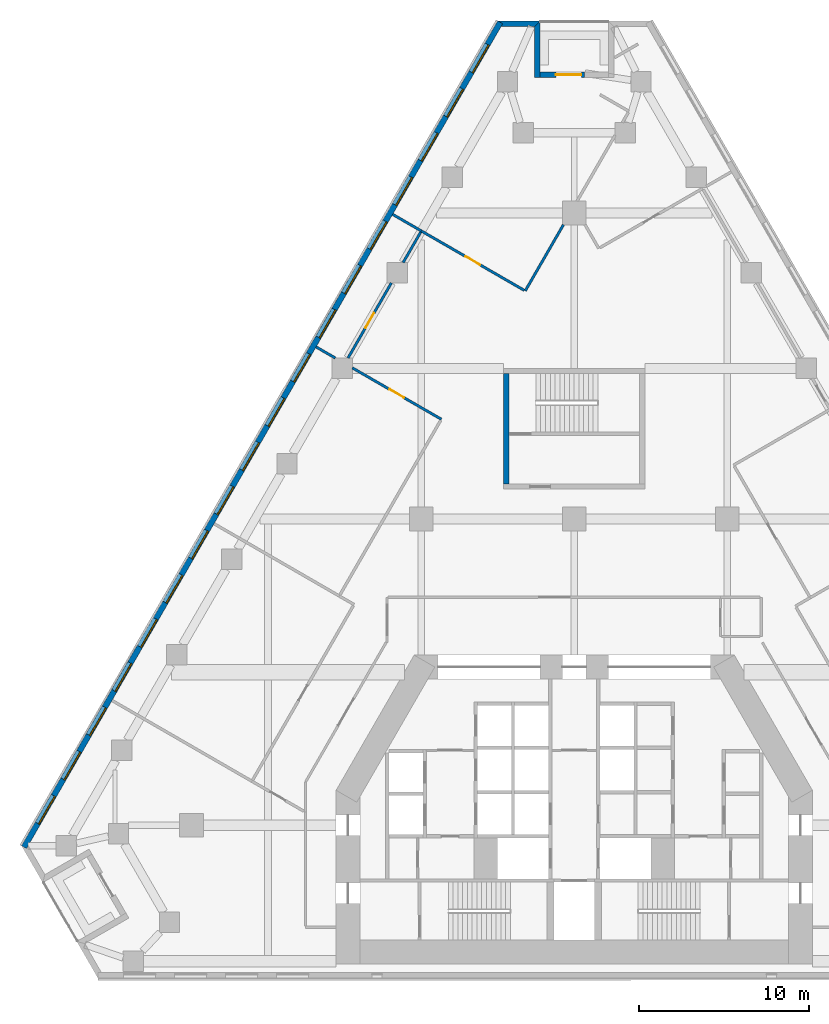
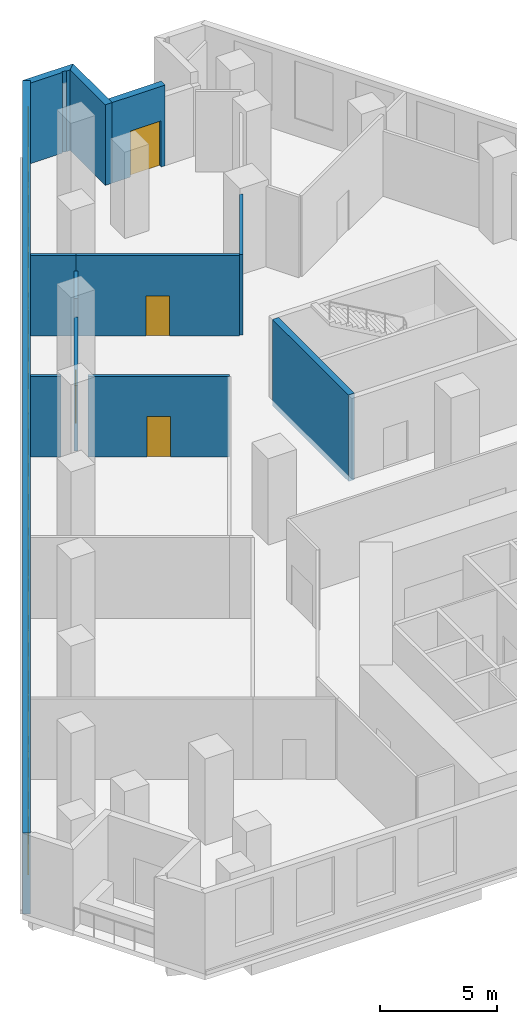
# One storey, part 9 of 14: 18 windows, 12 walls, 4 doors, 22 openings.
"""IFC4 building model written with IfcOpenShell, lengths in metres."""

from ifc_helpers import new_model, si_unit, direction, frame, frame_2d, origin, place, context, subcontext, project, spatial, polyline, rectangle, outline, extrude, material, layer, layer_set, type_object, element, fill, save


model = new_model("IFC4")

# Units and contexts
model_context = context("Model", 3, precision=1e-05, world=origin(), true_north=direction((0.0, 1.0)))
body_context = subcontext(model_context, "Body", "Model", "MODEL_VIEW")
ifc_project = project(units=[si_unit("LENGTHUNIT", "METRE"), si_unit("AREAUNIT", "SQUARE_METRE"), si_unit("VOLUMEUNIT", "CUBIC_METRE"), si_unit("PLANEANGLEUNIT", "RADIAN"), si_unit("MASSUNIT", "GRAM", prefix="KILO")], contexts=[model_context])

# Site, building, storey
site_placement = place(None, origin())
site = spatial("IfcSite", under=ifc_project, at=site_placement, CompositionType="ELEMENT")
building_placement = place(site_placement, origin())
building = spatial("IfcBuilding", under=site, at=building_placement, Name="Fogline Exchange Tower", CompositionType="ELEMENT")
storey_placement = place(building_placement, frame((0.0, 0.0, 29.5)))
storey = spatial("IfcBuildingStorey", under=building, at=storey_placement, Name="L05", CompositionType="ELEMENT", Elevation=29.5)

# Wall
ifc_material_1 = material(Name="Concrete C40", Category="concrete")
ifc_layer_1 = layer(ifc_material_1, 0.300048828125)
ifc_layer_set_1 = layer_set([ifc_layer_1], Name="CW30")
wall_type_1 = type_object("IfcWallType", Name="CW30", PredefinedType="SOLIDWALL", material=ifc_layer_set_1)
wall_1_placement = place(storey_placement, frame((-4.0, 29.056884765625, -0.300048828125), z_axis=(0.0, 0.0, 1.0), x_axis=(0.0, 1.0, 0.0)))
element("IfcWall", 1, at=wall_1_placement, inside=storey, type_object=wall_type_1, Name="Stair enclosure wall ST3", PredefinedType="SOLIDWALL", context=body_context, shape_type="SweptSolid", body=[
    extrude(rectangle(XDim=6.5, YDim=0.300048828125, at=frame_2d((3.25, 0.0))), origin(), (0.0, 0.0, 1.0), 4.5),
])

# Wall, opening, door
ifc_material_2 = material(Name="Brick masonry", Category="masonry")
ifc_layer_2 = layer(ifc_material_2, 0.340087890625)
ifc_layer_set_2 = layer_set([ifc_layer_2], Name="FW1")
wall_type_2 = type_object("IfcWallType", Name="FW1", PredefinedType="SOLIDWALL", material=ifc_layer_set_2)
wall_2_placement = place(storey_placement, frame((0.61328125, 53.12158203125, 0.0), z_axis=(0.0, 0.0, 1.0), x_axis=(-1.0, 0.0, 0.0)))
wall_2 = element("IfcWall", 2, at=wall_2_placement, inside=storey, type_object=wall_type_2, Name="Brick wall L05 N-bk", PredefinedType="SOLIDWALL", context=body_context, shape_type="SweptSolid", body=[
    extrude(rectangle(XDim=2.61328125, YDim=0.340087890625, at=frame_2d((1.306640625, 0.0))), origin(), (0.0, 0.0, 1.0), 4.199951171875),
])
opening_1_placement = place(wall_2_placement, frame((0.199951171875, 0.0, 0.0)))
opening_1 = element("IfcOpeningElement", 3, at=opening_1_placement, cuts=wall_2, Name="Opening T01-E141", PredefinedType="OPENING", context=body_context, shape_type="SweptSolid", body=[
    extrude(rectangle(XDim=1.5, YDim=2.39990234375, at=frame_2d((0.75, 1.199951171875))), frame((0.0, 0.18017578125, 0.0), z_axis=(0.0, -1.0, 0.0), x_axis=(1.0, 0.0, 0.0)), (0.0, 0.0, 1.0), 0.360107421875),
])
ifc_material_3 = material(Name="Aluminium and glass", Category="aluminium")
door_type_1 = type_object("IfcDoorType", Name="ED4", OperationType="SINGLE_SWING_LEFT", PredefinedType="DOOR", material=ifc_material_3)
door_1_placement = place(opening_1_placement, frame((1.5, 0.0, 0.0), z_axis=(0.0, 0.0, 1.0), x_axis=(-1.0, 0.0, 0.0)))
door_1 = element("IfcDoor", 4, at=door_1_placement, inside=storey, type_object=door_type_1, Name="Balcony door L05 N", OperationType="DOUBLE_DOOR_SINGLE_SWING", OverallHeight=2.39990234375, OverallWidth=1.5, PredefinedType="DOOR", context=body_context, shape_type="SweptSolid", body=[
    extrude(rectangle(XDim=1.5, YDim=2.39990234375, at=frame_2d((0.75, 1.199951171875))), frame((0.0, 0.02490234375, 0.0), z_axis=(0.0, -1.0, 0.0), x_axis=(1.0, 0.0, 0.0)), (0.0, 0.0, 1.0), 0.050048828125),
])
fill(opening_1, door_1)

# Walls
wall_3_placement = place(storey_placement, origin())
element("IfcWall", 5, at=wall_3_placement, inside=storey, type_object=wall_type_2, Name="Brick wall L05 N-s2", PredefinedType="SOLIDWALL", context=body_context, shape_type="SweptSolid", body=[
    extrude(outline(polyline([(-1.99951171875, 56.292724609375), (-1.99951171875, 52.951171875), (-2.340576171875, 52.951171875), (-2.340576171875, 55.951904296875), (-1.999755859375, 56.292724609375), (-1.99951171875, 56.292724609375)])), origin(), (0.0, 0.0, 1.0), 4.199951171875),
])
wall_4_placement = place(storey_placement, origin())
element("IfcWall", 6, at=wall_4_placement, inside=storey, type_object=wall_type_2, Name="Brick wall L05 N-c2", PredefinedType="SOLIDWALL", context=body_context, shape_type="SweptSolid", body=[
    extrude(outline(polyline([(-4.206298828125, 56.121337890625), (-4.501220703125, 56.291748046875), (-4.5009765625, 56.292236328125), (-1.9990234375, 56.292236328125), (-1.998779296875, 56.2919921875), (-2.33984375, 55.951171875), (-2.510009765625, 55.951171875), (-2.695068359375, 56.031494140625), (-2.72998046875, 55.951171875), (-4.3046875, 55.951171875), (-4.206298828125, 56.121337890625)])), origin(), (0.0, 0.0, 1.0), 4.199951171875),
])

# Wall, openings, windows
wall_5_placement = place(storey_placement, frame((-4.352783203125, 56.20654296875, 0.0), z_axis=(0.0, 0.0, 1.0), x_axis=(-0.500000836325, -0.866024920931, 0.0)))
wall_5 = element("IfcWall", 7, at=wall_5_placement, inside=storey, type_object=wall_type_2, Name="Brick wall L05 W", PredefinedType="SOLIDWALL", context=body_context, shape_type="SweptSolid", body=[
    extrude(rectangle(XDim=56.0, YDim=0.340087890625, at=frame_2d((28.0, 0.0))), origin(), (0.0, 0.0, 1.0), 4.199951171875),
])
opening_2_placement = place(wall_5_placement, frame((1.5, 0.0, 0.89990234375)))
opening_2 = element("IfcOpeningElement", 8, at=opening_2_placement, cuts=wall_5, Name="Opening W2", PredefinedType="OPENING", context=body_context, shape_type="SweptSolid", body=[
    extrude(rectangle(XDim=1.885009765625, YDim=3.0, at=frame_2d((0.9423828125, 1.5))), frame((0.0, 0.18017578125, 0.0), z_axis=(0.0, -1.0, 0.0), x_axis=(1.0, 0.0, 0.0)), (0.0, 0.0, 1.0), 0.360107421875),
])
opening_3_placement = place(wall_5_placement, frame((4.5, 0.0, 0.89990234375)))
opening_3 = element("IfcOpeningElement", 9, at=opening_3_placement, cuts=wall_5, Name="Opening W2", PredefinedType="OPENING", context=body_context, shape_type="SweptSolid", body=[
    extrude(rectangle(XDim=1.885009765625, YDim=3.0, at=frame_2d((0.9423828125, 1.5))), frame((0.0, 0.18017578125, 0.0), z_axis=(0.0, -1.0, 0.0), x_axis=(1.0, 0.0, 0.0)), (0.0, 0.0, 1.0), 0.360107421875),
])
opening_4_placement = place(wall_5_placement, frame((7.5, 0.0, 0.89990234375)))
opening_4 = element("IfcOpeningElement", 10, at=opening_4_placement, cuts=wall_5, Name="Opening W2", PredefinedType="OPENING", context=body_context, shape_type="SweptSolid", body=[
    extrude(rectangle(XDim=1.885009765625, YDim=3.0, at=frame_2d((0.9423828125, 1.5))), frame((0.0, 0.18017578125, 0.0), z_axis=(0.0, -1.0, 0.0), x_axis=(1.0, 0.0, 0.0)), (0.0, 0.0, 1.0), 0.360107421875),
])
opening_5_placement = place(wall_5_placement, frame((10.5, 0.0, 0.89990234375)))
opening_5 = element("IfcOpeningElement", 11, at=opening_5_placement, cuts=wall_5, Name="Opening W2", PredefinedType="OPENING", context=body_context, shape_type="SweptSolid", body=[
    extrude(rectangle(XDim=1.885009765625, YDim=3.0, at=frame_2d((0.9423828125, 1.5))), frame((0.0, 0.18017578125, 0.0), z_axis=(0.0, -1.0, 0.0), x_axis=(1.0, 0.0, 0.0)), (0.0, 0.0, 1.0), 0.360107421875),
])
opening_6_placement = place(wall_5_placement, frame((13.5, 0.0, 0.89990234375)))
opening_6 = element("IfcOpeningElement", 12, at=opening_6_placement, cuts=wall_5, Name="Opening W2", PredefinedType="OPENING", context=body_context, shape_type="SweptSolid", body=[
    extrude(rectangle(XDim=1.885009765625, YDim=3.0, at=frame_2d((0.9423828125, 1.5))), frame((0.0, 0.18017578125, 0.0), z_axis=(0.0, -1.0, 0.0), x_axis=(1.0, 0.0, 0.0)), (0.0, 0.0, 1.0), 0.360107421875),
])
opening_7_placement = place(wall_5_placement, frame((16.5, 0.0, 0.89990234375)))
opening_7 = element("IfcOpeningElement", 13, at=opening_7_placement, cuts=wall_5, Name="Opening W2", PredefinedType="OPENING", context=body_context, shape_type="SweptSolid", body=[
    extrude(rectangle(XDim=1.885009765625, YDim=3.0, at=frame_2d((0.9423828125, 1.5))), frame((0.0, 0.18017578125, 0.0), z_axis=(0.0, -1.0, 0.0), x_axis=(1.0, 0.0, 0.0)), (0.0, 0.0, 1.0), 0.360107421875),
])
opening_8_placement = place(wall_5_placement, frame((19.5, 0.0, 0.89990234375)))
opening_8 = element("IfcOpeningElement", 14, at=opening_8_placement, cuts=wall_5, Name="Opening W2", PredefinedType="OPENING", context=body_context, shape_type="SweptSolid", body=[
    extrude(rectangle(XDim=1.885009765625, YDim=3.0, at=frame_2d((0.9423828125, 1.5))), frame((0.0, 0.18017578125, 0.0), z_axis=(0.0, -1.0, 0.0), x_axis=(1.0, 0.0, 0.0)), (0.0, 0.0, 1.0), 0.360107421875),
])
opening_9_placement = place(wall_5_placement, frame((22.5, 0.0, 0.89990234375)))
opening_9 = element("IfcOpeningElement", 15, at=opening_9_placement, cuts=wall_5, Name="Opening W2", PredefinedType="OPENING", context=body_context, shape_type="SweptSolid", body=[
    extrude(rectangle(XDim=1.885009765625, YDim=3.0, at=frame_2d((0.9423828125, 1.5))), frame((0.0, 0.18017578125, 0.0), z_axis=(0.0, -1.0, 0.0), x_axis=(1.0, 0.0, 0.0)), (0.0, 0.0, 1.0), 0.360107421875),
])
opening_10_placement = place(wall_5_placement, frame((25.5, 0.0, 0.89990234375)))
opening_10 = element("IfcOpeningElement", 16, at=opening_10_placement, cuts=wall_5, Name="Opening W2", PredefinedType="OPENING", context=body_context, shape_type="SweptSolid", body=[
    extrude(rectangle(XDim=1.885009765625, YDim=3.0, at=frame_2d((0.9423828125, 1.5))), frame((0.0, 0.18017578125, 0.0), z_axis=(0.0, -1.0, 0.0), x_axis=(1.0, 0.0, 0.0)), (0.0, 0.0, 1.0), 0.360107421875),
])
opening_11_placement = place(wall_5_placement, frame((28.5, 0.0, 0.89990234375)))
opening_11 = element("IfcOpeningElement", 17, at=opening_11_placement, cuts=wall_5, Name="Opening W2", PredefinedType="OPENING", context=body_context, shape_type="SweptSolid", body=[
    extrude(rectangle(XDim=1.885009765625, YDim=3.0, at=frame_2d((0.9423828125, 1.5))), frame((0.0, 0.18017578125, 0.0), z_axis=(0.0, -1.0, 0.0), x_axis=(1.0, 0.0, 0.0)), (0.0, 0.0, 1.0), 0.360107421875),
])
opening_12_placement = place(wall_5_placement, frame((31.5, 0.0, 0.89990234375)))
opening_12 = element("IfcOpeningElement", 18, at=opening_12_placement, cuts=wall_5, Name="Opening W2", PredefinedType="OPENING", context=body_context, shape_type="SweptSolid", body=[
    extrude(rectangle(XDim=1.885009765625, YDim=3.0, at=frame_2d((0.9423828125, 1.5))), frame((0.0, 0.18017578125, 0.0), z_axis=(0.0, -1.0, 0.0), x_axis=(1.0, 0.0, 0.0)), (0.0, 0.0, 1.0), 0.360107421875),
])
opening_13_placement = place(wall_5_placement, frame((34.5, 0.0, 0.89990234375)))
opening_13 = element("IfcOpeningElement", 19, at=opening_13_placement, cuts=wall_5, Name="Opening W2", PredefinedType="OPENING", context=body_context, shape_type="SweptSolid", body=[
    extrude(rectangle(XDim=1.885009765625, YDim=3.0, at=frame_2d((0.9423828125, 1.5))), frame((0.0, 0.18017578125, 0.0), z_axis=(0.0, -1.0, 0.0), x_axis=(1.0, 0.0, 0.0)), (0.0, 0.0, 1.0), 0.360107421875),
])
opening_14_placement = place(wall_5_placement, frame((37.5, 0.0, 0.89990234375)))
opening_14 = element("IfcOpeningElement", 20, at=opening_14_placement, cuts=wall_5, Name="Opening W2", PredefinedType="OPENING", context=body_context, shape_type="SweptSolid", body=[
    extrude(rectangle(XDim=1.885009765625, YDim=3.0, at=frame_2d((0.9423828125, 1.5))), frame((0.0, 0.18017578125, 0.0), z_axis=(0.0, -1.0, 0.0), x_axis=(1.0, 0.0, 0.0)), (0.0, 0.0, 1.0), 0.360107421875),
])
opening_15_placement = place(wall_5_placement, frame((40.5, 0.0, 0.89990234375)))
opening_15 = element("IfcOpeningElement", 21, at=opening_15_placement, cuts=wall_5, Name="Opening W2", PredefinedType="OPENING", context=body_context, shape_type="SweptSolid", body=[
    extrude(rectangle(XDim=1.885009765625, YDim=3.0, at=frame_2d((0.9423828125, 1.5))), frame((0.0, 0.18017578125, 0.0), z_axis=(0.0, -1.0, 0.0), x_axis=(1.0, 0.0, 0.0)), (0.0, 0.0, 1.0), 0.360107421875),
])
opening_16_placement = place(wall_5_placement, frame((43.5, 0.0, 0.89990234375)))
opening_16 = element("IfcOpeningElement", 22, at=opening_16_placement, cuts=wall_5, Name="Opening W2", PredefinedType="OPENING", context=body_context, shape_type="SweptSolid", body=[
    extrude(rectangle(XDim=1.885009765625, YDim=3.0, at=frame_2d((0.9423828125, 1.5))), frame((0.0, 0.18017578125, 0.0), z_axis=(0.0, -1.0, 0.0), x_axis=(1.0, 0.0, 0.0)), (0.0, 0.0, 1.0), 0.360107421875),
])
opening_17_placement = place(wall_5_placement, frame((46.5, 0.0, 0.89990234375)))
opening_17 = element("IfcOpeningElement", 23, at=opening_17_placement, cuts=wall_5, Name="Opening W2", PredefinedType="OPENING", context=body_context, shape_type="SweptSolid", body=[
    extrude(rectangle(XDim=1.885009765625, YDim=3.0, at=frame_2d((0.9423828125, 1.5))), frame((0.0, 0.18017578125, 0.0), z_axis=(0.0, -1.0, 0.0), x_axis=(1.0, 0.0, 0.0)), (0.0, 0.0, 1.0), 0.360107421875),
])
opening_18_placement = place(wall_5_placement, frame((49.5, 0.0, 0.89990234375)))
opening_18 = element("IfcOpeningElement", 24, at=opening_18_placement, cuts=wall_5, Name="Opening W2", PredefinedType="OPENING", context=body_context, shape_type="SweptSolid", body=[
    extrude(rectangle(XDim=1.885009765625, YDim=3.0, at=frame_2d((0.9423828125, 1.5))), frame((0.0, 0.18017578125, 0.0), z_axis=(0.0, -1.0, 0.0), x_axis=(1.0, 0.0, 0.0)), (0.0, 0.0, 1.0), 0.360107421875),
])
opening_19_placement = place(wall_5_placement, frame((52.5, 0.0, 0.89990234375)))
opening_19 = element("IfcOpeningElement", 25, at=opening_19_placement, cuts=wall_5, Name="Opening W2", PredefinedType="OPENING", context=body_context, shape_type="SweptSolid", body=[
    extrude(rectangle(XDim=1.885009765625, YDim=3.0, at=frame_2d((0.9423828125, 1.5))), frame((0.0, 0.18017578125, 0.0), z_axis=(0.0, -1.0, 0.0), x_axis=(1.0, 0.0, 0.0)), (0.0, 0.0, 1.0), 0.360107421875),
])
window_type = type_object("IfcWindowType", Name="W2", PartitioningType="SINGLE_PANEL", PredefinedType="WINDOW", material=ifc_material_3)
window_1_placement = place(opening_2_placement, origin())
window_1 = element("IfcWindow", 26, at=window_1_placement, inside=storey, type_object=window_type, Name="W2 W2", OverallHeight=3.0, OverallWidth=1.885009765625, PartitioningType="SINGLE_PANEL", PredefinedType="WINDOW", context=body_context, shape_type="SweptSolid", body=[
    extrude(rectangle(XDim=1.885009765625, YDim=3.0, at=frame_2d((0.9423828125, 1.5))), frame((0.0, 0.110107421875, 0.0), z_axis=(0.0, -1.0, 0.0), x_axis=(1.0, 0.0, 0.0)), (0.0, 0.0, 1.0), 0.06005859375),
])
fill(opening_2, window_1)
window_2_placement = place(opening_3_placement, origin())
window_2 = element("IfcWindow", 27, at=window_2_placement, inside=storey, type_object=window_type, Name="W2 W2", OverallHeight=3.0, OverallWidth=1.885009765625, PartitioningType="SINGLE_PANEL", PredefinedType="WINDOW", context=body_context, shape_type="SweptSolid", body=[
    extrude(rectangle(XDim=1.885009765625, YDim=3.0, at=frame_2d((0.9423828125, 1.5))), frame((0.0, 0.110107421875, 0.0), z_axis=(0.0, -1.0, 0.0), x_axis=(1.0, 0.0, 0.0)), (0.0, 0.0, 1.0), 0.06005859375),
])
fill(opening_3, window_2)
window_3_placement = place(opening_4_placement, origin())
window_3 = element("IfcWindow", 28, at=window_3_placement, inside=storey, type_object=window_type, Name="W2 W2", OverallHeight=3.0, OverallWidth=1.885009765625, PartitioningType="SINGLE_PANEL", PredefinedType="WINDOW", context=body_context, shape_type="SweptSolid", body=[
    extrude(rectangle(XDim=1.885009765625, YDim=3.0, at=frame_2d((0.9423828125, 1.5))), frame((0.0, 0.110107421875, 0.0), z_axis=(0.0, -1.0, 0.0), x_axis=(1.0, 0.0, 0.0)), (0.0, 0.0, 1.0), 0.06005859375),
])
fill(opening_4, window_3)
window_4_placement = place(opening_5_placement, origin())
window_4 = element("IfcWindow", 29, at=window_4_placement, inside=storey, type_object=window_type, Name="W2 W2", OverallHeight=3.0, OverallWidth=1.885009765625, PartitioningType="SINGLE_PANEL", PredefinedType="WINDOW", context=body_context, shape_type="SweptSolid", body=[
    extrude(rectangle(XDim=1.885009765625, YDim=3.0, at=frame_2d((0.9423828125, 1.5))), frame((0.0, 0.110107421875, 0.0), z_axis=(0.0, -1.0, 0.0), x_axis=(1.0, 0.0, 0.0)), (0.0, 0.0, 1.0), 0.06005859375),
])
fill(opening_5, window_4)
window_5_placement = place(opening_6_placement, origin())
window_5 = element("IfcWindow", 30, at=window_5_placement, inside=storey, type_object=window_type, Name="W2 W2", OverallHeight=3.0, OverallWidth=1.885009765625, PartitioningType="SINGLE_PANEL", PredefinedType="WINDOW", context=body_context, shape_type="SweptSolid", body=[
    extrude(rectangle(XDim=1.885009765625, YDim=3.0, at=frame_2d((0.9423828125, 1.5))), frame((0.0, 0.110107421875, 0.0), z_axis=(0.0, -1.0, 0.0), x_axis=(1.0, 0.0, 0.0)), (0.0, 0.0, 1.0), 0.06005859375),
])
fill(opening_6, window_5)
window_6_placement = place(opening_7_placement, origin())
window_6 = element("IfcWindow", 31, at=window_6_placement, inside=storey, type_object=window_type, Name="W2 W2", OverallHeight=3.0, OverallWidth=1.885009765625, PartitioningType="SINGLE_PANEL", PredefinedType="WINDOW", context=body_context, shape_type="SweptSolid", body=[
    extrude(rectangle(XDim=1.885009765625, YDim=3.0, at=frame_2d((0.9423828125, 1.5))), frame((0.0, 0.110107421875, 0.0), z_axis=(0.0, -1.0, 0.0), x_axis=(1.0, 0.0, 0.0)), (0.0, 0.0, 1.0), 0.06005859375),
])
fill(opening_7, window_6)
window_7_placement = place(opening_8_placement, origin())
window_7 = element("IfcWindow", 32, at=window_7_placement, inside=storey, type_object=window_type, Name="W2 W2", OverallHeight=3.0, OverallWidth=1.885009765625, PartitioningType="SINGLE_PANEL", PredefinedType="WINDOW", context=body_context, shape_type="SweptSolid", body=[
    extrude(rectangle(XDim=1.885009765625, YDim=3.0, at=frame_2d((0.9423828125, 1.5))), frame((0.0, 0.110107421875, 0.0), z_axis=(0.0, -1.0, 0.0), x_axis=(1.0, 0.0, 0.0)), (0.0, 0.0, 1.0), 0.06005859375),
])
fill(opening_8, window_7)
window_8_placement = place(opening_9_placement, origin())
window_8 = element("IfcWindow", 33, at=window_8_placement, inside=storey, type_object=window_type, Name="W2 W2", OverallHeight=3.0, OverallWidth=1.885009765625, PartitioningType="SINGLE_PANEL", PredefinedType="WINDOW", context=body_context, shape_type="SweptSolid", body=[
    extrude(rectangle(XDim=1.885009765625, YDim=3.0, at=frame_2d((0.9423828125, 1.5))), frame((0.0, 0.110107421875, 0.0), z_axis=(0.0, -1.0, 0.0), x_axis=(1.0, 0.0, 0.0)), (0.0, 0.0, 1.0), 0.06005859375),
])
fill(opening_9, window_8)
window_9_placement = place(opening_10_placement, origin())
window_9 = element("IfcWindow", 34, at=window_9_placement, inside=storey, type_object=window_type, Name="W2 W2", OverallHeight=3.0, OverallWidth=1.885009765625, PartitioningType="SINGLE_PANEL", PredefinedType="WINDOW", context=body_context, shape_type="SweptSolid", body=[
    extrude(rectangle(XDim=1.885009765625, YDim=3.0, at=frame_2d((0.9423828125, 1.5))), frame((0.0, 0.110107421875, 0.0), z_axis=(0.0, -1.0, 0.0), x_axis=(1.0, 0.0, 0.0)), (0.0, 0.0, 1.0), 0.06005859375),
])
fill(opening_10, window_9)
window_10_placement = place(opening_11_placement, origin())
window_10 = element("IfcWindow", 35, at=window_10_placement, inside=storey, type_object=window_type, Name="W2 W2", OverallHeight=3.0, OverallWidth=1.885009765625, PartitioningType="SINGLE_PANEL", PredefinedType="WINDOW", context=body_context, shape_type="SweptSolid", body=[
    extrude(rectangle(XDim=1.885009765625, YDim=3.0, at=frame_2d((0.9423828125, 1.5))), frame((0.0, 0.110107421875, 0.0), z_axis=(0.0, -1.0, 0.0), x_axis=(1.0, 0.0, 0.0)), (0.0, 0.0, 1.0), 0.06005859375),
])
fill(opening_11, window_10)
window_11_placement = place(opening_12_placement, origin())
window_11 = element("IfcWindow", 36, at=window_11_placement, inside=storey, type_object=window_type, Name="W2 W2", OverallHeight=3.0, OverallWidth=1.885009765625, PartitioningType="SINGLE_PANEL", PredefinedType="WINDOW", context=body_context, shape_type="SweptSolid", body=[
    extrude(rectangle(XDim=1.885009765625, YDim=3.0, at=frame_2d((0.9423828125, 1.5))), frame((0.0, 0.110107421875, 0.0), z_axis=(0.0, -1.0, 0.0), x_axis=(1.0, 0.0, 0.0)), (0.0, 0.0, 1.0), 0.06005859375),
])
fill(opening_12, window_11)
window_12_placement = place(opening_13_placement, origin())
window_12 = element("IfcWindow", 37, at=window_12_placement, inside=storey, type_object=window_type, Name="W2 W2", OverallHeight=3.0, OverallWidth=1.885009765625, PartitioningType="SINGLE_PANEL", PredefinedType="WINDOW", context=body_context, shape_type="SweptSolid", body=[
    extrude(rectangle(XDim=1.885009765625, YDim=3.0, at=frame_2d((0.9423828125, 1.5))), frame((0.0, 0.110107421875, 0.0), z_axis=(0.0, -1.0, 0.0), x_axis=(1.0, 0.0, 0.0)), (0.0, 0.0, 1.0), 0.06005859375),
])
fill(opening_13, window_12)
window_13_placement = place(opening_14_placement, origin())
window_13 = element("IfcWindow", 38, at=window_13_placement, inside=storey, type_object=window_type, Name="W2 W2", OverallHeight=3.0, OverallWidth=1.885009765625, PartitioningType="SINGLE_PANEL", PredefinedType="WINDOW", context=body_context, shape_type="SweptSolid", body=[
    extrude(rectangle(XDim=1.885009765625, YDim=3.0, at=frame_2d((0.9423828125, 1.5))), frame((0.0, 0.110107421875, 0.0), z_axis=(0.0, -1.0, 0.0), x_axis=(1.0, 0.0, 0.0)), (0.0, 0.0, 1.0), 0.06005859375),
])
fill(opening_14, window_13)
window_14_placement = place(opening_15_placement, origin())
window_14 = element("IfcWindow", 39, at=window_14_placement, inside=storey, type_object=window_type, Name="W2 W2", OverallHeight=3.0, OverallWidth=1.885009765625, PartitioningType="SINGLE_PANEL", PredefinedType="WINDOW", context=body_context, shape_type="SweptSolid", body=[
    extrude(rectangle(XDim=1.885009765625, YDim=3.0, at=frame_2d((0.9423828125, 1.5))), frame((0.0, 0.110107421875, 0.0), z_axis=(0.0, -1.0, 0.0), x_axis=(1.0, 0.0, 0.0)), (0.0, 0.0, 1.0), 0.06005859375),
])
fill(opening_15, window_14)
window_15_placement = place(opening_16_placement, origin())
window_15 = element("IfcWindow", 40, at=window_15_placement, inside=storey, type_object=window_type, Name="W2 W2", OverallHeight=3.0, OverallWidth=1.885009765625, PartitioningType="SINGLE_PANEL", PredefinedType="WINDOW", context=body_context, shape_type="SweptSolid", body=[
    extrude(rectangle(XDim=1.885009765625, YDim=3.0, at=frame_2d((0.9423828125, 1.5))), frame((0.0, 0.110107421875, 0.0), z_axis=(0.0, -1.0, 0.0), x_axis=(1.0, 0.0, 0.0)), (0.0, 0.0, 1.0), 0.06005859375),
])
fill(opening_16, window_15)
window_16_placement = place(opening_17_placement, origin())
window_16 = element("IfcWindow", 41, at=window_16_placement, inside=storey, type_object=window_type, Name="W2 W2", OverallHeight=3.0, OverallWidth=1.885009765625, PartitioningType="SINGLE_PANEL", PredefinedType="WINDOW", context=body_context, shape_type="SweptSolid", body=[
    extrude(rectangle(XDim=1.885009765625, YDim=3.0, at=frame_2d((0.9423828125, 1.5))), frame((0.0, 0.110107421875, 0.0), z_axis=(0.0, -1.0, 0.0), x_axis=(1.0, 0.0, 0.0)), (0.0, 0.0, 1.0), 0.06005859375),
])
fill(opening_17, window_16)
window_17_placement = place(opening_18_placement, origin())
window_17 = element("IfcWindow", 42, at=window_17_placement, inside=storey, type_object=window_type, Name="W2 W2", OverallHeight=3.0, OverallWidth=1.885009765625, PartitioningType="SINGLE_PANEL", PredefinedType="WINDOW", context=body_context, shape_type="SweptSolid", body=[
    extrude(rectangle(XDim=1.885009765625, YDim=3.0, at=frame_2d((0.9423828125, 1.5))), frame((0.0, 0.110107421875, 0.0), z_axis=(0.0, -1.0, 0.0), x_axis=(1.0, 0.0, 0.0)), (0.0, 0.0, 1.0), 0.06005859375),
])
fill(opening_18, window_17)
window_18_placement = place(opening_19_placement, origin())
window_18 = element("IfcWindow", 43, at=window_18_placement, inside=storey, type_object=window_type, Name="W2 W2", OverallHeight=3.0, OverallWidth=1.885009765625, PartitioningType="SINGLE_PANEL", PredefinedType="WINDOW", context=body_context, shape_type="SweptSolid", body=[
    extrude(rectangle(XDim=1.885009765625, YDim=3.0, at=frame_2d((0.9423828125, 1.5))), frame((0.0, 0.110107421875, 0.0), z_axis=(0.0, -1.0, 0.0), x_axis=(1.0, 0.0, 0.0)), (0.0, 0.0, 1.0), 0.06005859375),
])
fill(opening_19, window_18)

# Wall, opening, door
ifc_material_4 = material(Name="Plasterboard demising partition with mineral wool and acoustic board")
ifc_layer_3 = layer(ifc_material_4, 0.14990234375)
ifc_layer_set_3 = layer_set([ifc_layer_3], Name="PW3")
wall_type_3 = type_object("IfcWallType", Name="PW3", PredefinedType="PARTITIONING", material=ifc_layer_set_3)
wall_6_placement = place(storey_placement, frame((-8.988037109375, 43.93798828125, 0.0), z_axis=(0.0, 0.0, 1.0), x_axis=(0.866037534292, -0.499978988757, 0.0)))
wall_6 = element("IfcWall", 44, at=wall_6_placement, inside=storey, type_object=wall_type_3, Name="wall-L05-W027", PredefinedType="PARTITIONING", context=body_context, shape_type="SweptSolid", body=[
    extrude(rectangle(XDim=6.974853515625, YDim=0.14990234375, at=frame_2d((3.4873046875, 0.0))), origin(), (0.0, 0.0, 1.0), 4.199951171875),
])
opening_20_placement = place(wall_6_placement, frame((2.987548828125, 0.0, 0.0)))
opening_20 = element("IfcOpeningElement", 45, at=opening_20_placement, cuts=wall_6, Name="Opening T01-D009", PredefinedType="OPENING", context=body_context, shape_type="SweptSolid", body=[
    extrude(rectangle(XDim=1.0, YDim=2.10009765625, at=frame_2d((0.5, 1.050048828125))), frame((0.0, 0.0849609375, 0.0), z_axis=(0.0, -1.0, 0.0), x_axis=(1.0, 0.0, 0.0)), (0.0, 0.0, 1.0), 0.169921875),
])
ifc_material_5 = material(Name="Fire-rated timber door leaf with steel frame", Category="steel")
door_type_2 = type_object("IfcDoorType", Name="D3", OperationType="SINGLE_SWING_LEFT", PredefinedType="DOOR", material=ifc_material_5)
door_2_placement = place(opening_20_placement, origin())
door_2 = element("IfcDoor", 46, at=door_2_placement, inside=storey, type_object=door_type_2, Name="door-L05-D009", OperationType="SINGLE_SWING_LEFT", OverallHeight=2.10009765625, OverallWidth=1.0, PredefinedType="DOOR", context=body_context, shape_type="SweptSolid", body=[
    extrude(rectangle(XDim=1.0, YDim=2.10009765625, at=frame_2d((0.5, 1.050048828125))), frame((0.0, 0.02490234375, 0.0), z_axis=(0.0, -1.0, 0.0), x_axis=(1.0, 0.0, 0.0)), (0.0, 0.0, 1.0), 0.050048828125),
])
fill(opening_20, door_2)

# Wall
wall_7_placement = place(storey_placement, frame((-2.882568359375, 40.4130859375, 0.0), z_axis=(0.0, 0.0, 1.0), x_axis=(0.500000259638, 0.866025253883, 0.0)))
element("IfcWall", 47, at=wall_7_placement, inside=storey, type_object=wall_type_3, Name="wall-L05-W028", PredefinedType="PARTITIONING", context=body_context, shape_type="SweptSolid", body=[
    extrude(rectangle(XDim=4.48828125, YDim=0.14990234375, at=frame_2d((2.244140625, 0.0))), origin(), (0.0, 0.0, 1.0), 4.199951171875),
])

# Wall, opening, door
wall_8_placement = place(storey_placement, frame((-13.30126953125, 36.467529296875, 0.0), z_axis=(0.0, 0.0, 1.0), x_axis=(0.499991921166, 0.866030068051, 0.0)))
wall_8 = element("IfcWall", 48, at=wall_8_placement, inside=storey, type_object=wall_type_3, Name="wall-L05-W029", PredefinedType="PARTITIONING", context=body_context, shape_type="SweptSolid", body=[
    extrude(rectangle(XDim=5.09765625, YDim=0.14990234375, at=frame_2d((2.548828125, 0.0))), origin(), (0.0, 0.0, 1.0), 3.39990234375),
])
opening_21_placement = place(wall_8_placement, frame((2.048828125, 0.0, 0.0)))
opening_21 = element("IfcOpeningElement", 49, at=opening_21_placement, cuts=wall_8, Name="Opening T01-D010", PredefinedType="OPENING", context=body_context, shape_type="SweptSolid", body=[
    extrude(rectangle(XDim=1.0, YDim=2.10009765625, at=frame_2d((0.5, 1.050048828125))), frame((0.0, 0.0849609375, 0.0), z_axis=(0.0, -1.0, 0.0), x_axis=(1.0, 0.0, 0.0)), (0.0, 0.0, 1.0), 0.169921875),
])
door_3_placement = place(opening_21_placement, origin())
door_3 = element("IfcDoor", 50, at=door_3_placement, inside=storey, type_object=door_type_2, Name="door-L05-D010", OperationType="SINGLE_SWING_LEFT", OverallHeight=2.10009765625, OverallWidth=1.0, PredefinedType="DOOR", context=body_context, shape_type="SweptSolid", body=[
    extrude(rectangle(XDim=1.0, YDim=2.10009765625, at=frame_2d((0.5, 1.050048828125))), frame((0.0, 0.02490234375, 0.0), z_axis=(0.0, -1.0, 0.0), x_axis=(1.0, 0.0, 0.0)), (0.0, 0.0, 1.0), 0.050048828125),
])
fill(opening_21, door_3)

# Wall
wall_9_placement = place(storey_placement, frame((-10.0595703125, 42.082275390625, 0.0), z_axis=(0.0, 0.0, 1.0), x_axis=(0.500012022864, 0.866018462269, 0.0)))
element("IfcWall", 51, at=wall_9_placement, inside=storey, type_object=wall_type_3, Name="wall-L05-W030", PredefinedType="PARTITIONING", context=body_context, shape_type="SweptSolid", body=[
    extrude(rectangle(XDim=2.06787109375, YDim=0.14990234375, at=frame_2d((1.033935546875, 0.0))), origin(), (0.0, 0.0, 1.0), 3.39990234375),
])

# Wall, opening, door
wall_10_placement = place(storey_placement, frame((-7.815673828125, 32.868896484375, 0.0), z_axis=(0.0, 0.0, 1.0), x_axis=(-0.866018688909, 0.500011630325, 0.0)))
wall_10 = element("IfcWall", 52, at=wall_10_placement, inside=storey, type_object=wall_type_3, Name="wall-L05-W032", PredefinedType="PARTITIONING", context=body_context, shape_type="SweptSolid", body=[
    extrude(rectangle(XDim=6.041259765625, YDim=0.14990234375, at=frame_2d((3.0205078125, 0.0))), origin(), (0.0, 0.0, 1.0), 4.199951171875),
])
opening_22_placement = place(wall_10_placement, frame((2.520751953125, 0.0, 0.0)))
opening_22 = element("IfcOpeningElement", 53, at=opening_22_placement, cuts=wall_10, Name="Opening T01-D011", PredefinedType="OPENING", context=body_context, shape_type="SweptSolid", body=[
    extrude(rectangle(XDim=1.0, YDim=2.10009765625, at=frame_2d((0.5, 1.050048828125))), frame((0.0, 0.0849609375, 0.0), z_axis=(0.0, -1.0, 0.0), x_axis=(1.0, 0.0, 0.0)), (0.0, 0.0, 1.0), 0.169921875),
])
door_4_placement = place(opening_22_placement, origin())
door_4 = element("IfcDoor", 54, at=door_4_placement, inside=storey, type_object=door_type_2, Name="door-L05-D011", OperationType="SINGLE_SWING_LEFT", OverallHeight=2.10009765625, OverallWidth=1.0, PredefinedType="DOOR", context=body_context, shape_type="SweptSolid", body=[
    extrude(rectangle(XDim=1.0, YDim=2.10009765625, at=frame_2d((0.5, 1.050048828125))), frame((0.0, 0.02490234375, 0.0), z_axis=(0.0, -1.0, 0.0), x_axis=(1.0, 0.0, 0.0)), (0.0, 0.0, 1.0), 0.050048828125),
])
fill(opening_22, door_4)

# Walls
wall_11_placement = place(storey_placement, frame((-8.988037109375, 43.93798828125, 0.0), z_axis=(0.0, 0.0, 1.0), x_axis=(-0.866000020948, 0.500043961785, 0.0)))
element("IfcWall", 55, at=wall_11_placement, inside=storey, type_object=wall_type_3, Name="wall-L05-W041", PredefinedType="PARTITIONING", context=body_context, shape_type="SweptSolid", body=[
    extrude(rectangle(XDim=1.949951171875, YDim=0.14990234375, at=frame_2d((0.97509765625, 0.0))), origin(), (0.0, 0.0, 1.0), 4.199951171875),
])
wall_12_placement = place(storey_placement, frame((-14.048828125, 36.467529296875, 0.0), z_axis=(0.0, 0.0, 1.0), x_axis=(-0.865973311606, 0.500090215447, 0.0)))
element("IfcWall", 56, at=wall_12_placement, inside=storey, type_object=wall_type_3, Name="wall-L05-W042", PredefinedType="PARTITIONING", context=body_context, shape_type="SweptSolid", body=[
    extrude(rectangle(XDim=1.302490234375, YDim=0.14990234375, at=frame_2d((0.6513671875, 0.0))), origin(), (0.0, 0.0, 1.0), 4.199951171875),
])

save(model, "model.ifc")
